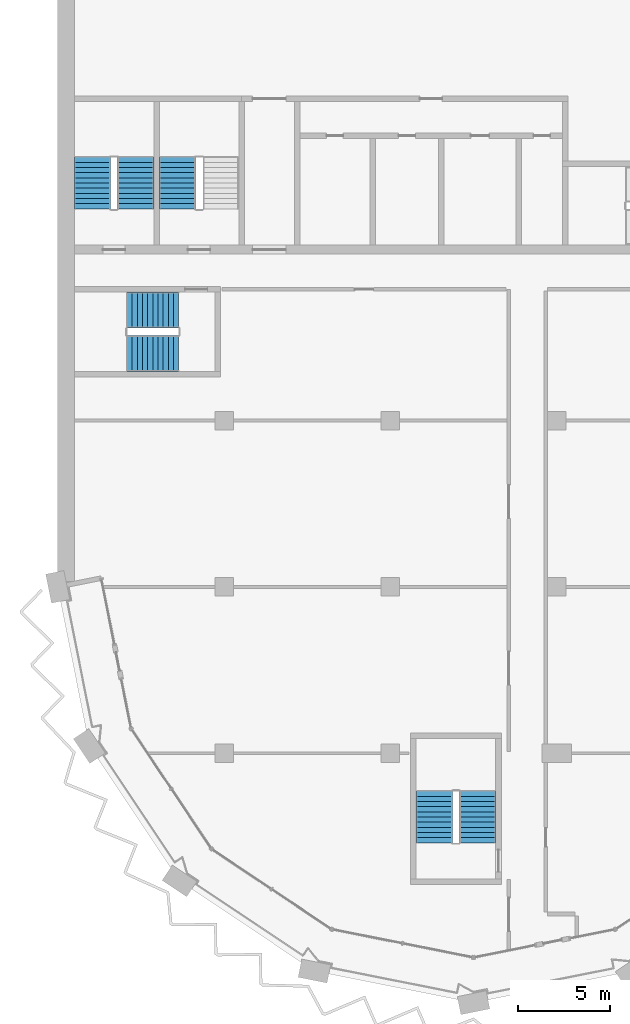
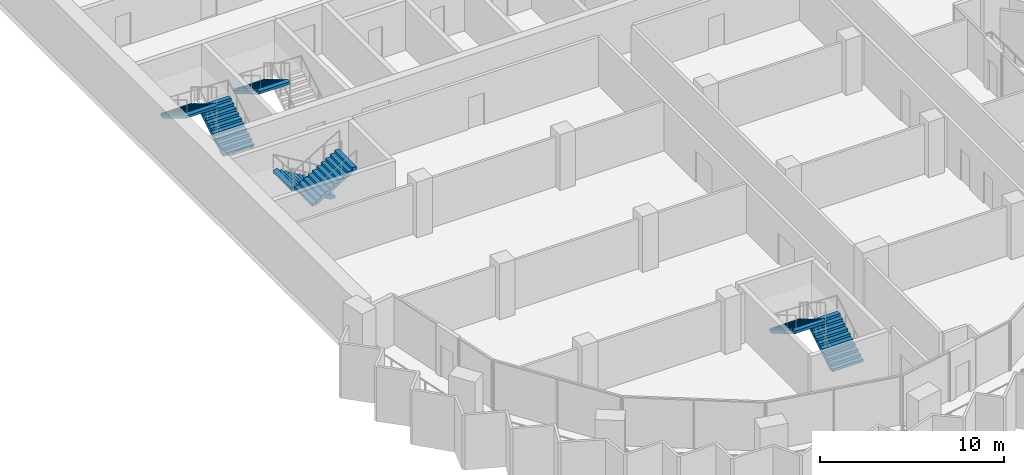
# One storey, part 10 of 15: 7 stair flights, 4 elements without a shape of their own.
"""IFC4 building model written with IfcOpenShell, lengths in metres."""

from ifc_helpers import new_model, si_unit, direction, frame, origin, place, context, subcontext, project, spatial, polyline, outline, extrude, material, type_object, element, aggregate, save


model = new_model("IFC4")

# Units and contexts
model_context = context("Model", 3, precision=1e-05, world=origin(), true_north=direction((0.0, 1.0)))
body_context = subcontext(model_context, "Body", "Model", "MODEL_VIEW")
ifc_project = project(units=[si_unit("LENGTHUNIT", "METRE"), si_unit("AREAUNIT", "SQUARE_METRE"), si_unit("VOLUMEUNIT", "CUBIC_METRE"), si_unit("PLANEANGLEUNIT", "RADIAN"), si_unit("MASSUNIT", "GRAM", prefix="KILO")], contexts=[model_context])

# Site, building, storey
site_placement = place(None, origin())
site = spatial("IfcSite", under=ifc_project, at=site_placement, CompositionType="ELEMENT")
building_placement = place(site_placement, origin())
building = spatial("IfcBuilding", under=site, at=building_placement, Name="Hunhe Ridgeline Campus", CompositionType="ELEMENT")
storey_placement = place(building_placement, frame((0.0, 0.0, 231.800048828125)))
storey = spatial("IfcBuildingStorey", under=building, at=storey_placement, Name="L59", CompositionType="ELEMENT", Elevation=231.800048828125)

# Stair, stair flights
ifc_material = material(Name="Concrete C40", Category="concrete")
stair_type = type_object("IfcStairType", Name="Reinforced concrete dog-leg stair 1950 Concrete C40", PredefinedType="HALF_TURN_STAIR", material=ifc_material)
stair_1_placement = place(storey_placement, origin())
stair_1 = element("IfcStair", 1, at=stair_1_placement, inside=storey, type_object=stair_type, Name="L59 S3", PredefinedType="HALF_TURN_STAIR")
stair_flight_type = type_object("IfcStairFlightType", Name="Reinforced concrete stair flight 1950 Concrete C40", PredefinedType="STRAIGHT", material=ifc_material)
stair_flight_1_placement = place(storey_placement, frame((4.22509765625, 65.449951171875, 0.0), z_axis=(0.0, 0.0, 1.0), x_axis=(0.0, 1.0, 0.0)))
stair_flight_1 = element("IfcStairFlight", 2, at=stair_flight_1_placement, type_object=stair_flight_type, Name="ST3 flight 1", NumberOfRisers=11, NumberOfTreads=10, PredefinedType="STRAIGHT", RiserHeight=0.168181818, TreadLength=0.28, context=body_context, shape_type="SweptSolid", body=[
    extrude(outline(polyline([(0.0, 0.0), (0.0, 0.168212890625), (0.280029296875, 0.168212890625), (0.280029296875, 0.33642578125), (0.56005859375, 0.33642578125), (0.56005859375, 0.504638671875), (0.840087890625, 0.504638671875), (0.840087890625, 0.672607421875), (1.1201171875, 0.672607421875), (1.1201171875, 0.8408203125), (1.39990234375, 0.8408203125), (1.39990234375, 1.009033203125), (1.679931640625, 1.009033203125), (1.679931640625, 1.17724609375), (1.9599609375, 1.17724609375), (1.9599609375, 1.345458984375), (2.239990234375, 1.345458984375), (2.239990234375, 1.513671875), (2.52001953125, 1.513671875), (2.52001953125, 1.681884765625), (2.800048828125, 1.681884765625), (2.800048828125, 1.85009765625), (2.800048828125, 1.5068359375), (0.291015625, 0.0), (0.0, 0.0)])), frame((0.0, 0.97509765625, 0.0), z_axis=(0.0, -1.0, 0.0), x_axis=(1.0, 0.0, 0.0)), (0.0, 0.0, 1.0), 1.949951171875),
    extrude(outline(polyline([(0.030029296875, 0.030029296875), (0.030029296875, 0.13818359375), (0.31005859375, 0.13818359375), (0.31005859375, 0.306396484375), (0.590087890625, 0.306396484375), (0.590087890625, 0.474609375), (0.8701171875, 0.474609375), (0.8701171875, 0.642578125), (1.14990234375, 0.642578125), (1.14990234375, 0.810791015625), (1.429931640625, 0.810791015625), (1.429931640625, 0.97900390625), (1.7099609375, 0.97900390625), (1.7099609375, 1.147216796875), (1.989990234375, 1.147216796875), (1.989990234375, 1.3154296875), (2.27001953125, 1.3154296875), (2.27001953125, 1.483642578125), (2.550048828125, 1.483642578125), (2.550048828125, 1.65185546875), (2.77001953125, 1.65185546875), (2.77001953125, 1.52392578125), (0.28271484375, 0.030029296875), (0.030029296875, 0.030029296875)])), frame((0.0, -0.070068359375, 0.0), z_axis=(0.0, -1.0, 0.0), x_axis=(1.0, 0.0, 0.0)), (0.0, 0.0, 1.0), 0.019775390625),
    extrude(outline(polyline([(0.030029296875, 0.030029296875), (0.030029296875, 0.13818359375), (0.31005859375, 0.13818359375), (0.31005859375, 0.306396484375), (0.590087890625, 0.306396484375), (0.590087890625, 0.474609375), (0.8701171875, 0.474609375), (0.8701171875, 0.642578125), (1.14990234375, 0.642578125), (1.14990234375, 0.810791015625), (1.429931640625, 0.810791015625), (1.429931640625, 0.97900390625), (1.7099609375, 0.97900390625), (1.7099609375, 1.147216796875), (1.989990234375, 1.147216796875), (1.989990234375, 1.3154296875), (2.27001953125, 1.3154296875), (2.27001953125, 1.483642578125), (2.550048828125, 1.483642578125), (2.550048828125, 1.65185546875), (2.77001953125, 1.65185546875), (2.77001953125, 1.52392578125), (0.28271484375, 0.030029296875), (0.030029296875, 0.030029296875)])), frame((0.0, 0.010009765625, 0.0), z_axis=(0.0, -1.0, 0.0), x_axis=(1.0, 0.0, 0.0)), (0.0, 0.0, 1.0), 0.019775390625),
    extrude(outline(polyline([(0.030029296875, 0.030029296875), (0.030029296875, 0.13818359375), (0.31005859375, 0.13818359375), (0.31005859375, 0.306396484375), (0.590087890625, 0.306396484375), (0.590087890625, 0.474609375), (0.8701171875, 0.474609375), (0.8701171875, 0.642578125), (1.14990234375, 0.642578125), (1.14990234375, 0.810791015625), (1.429931640625, 0.810791015625), (1.429931640625, 0.97900390625), (1.7099609375, 0.97900390625), (1.7099609375, 1.147216796875), (1.989990234375, 1.147216796875), (1.989990234375, 1.3154296875), (2.27001953125, 1.3154296875), (2.27001953125, 1.483642578125), (2.550048828125, 1.483642578125), (2.550048828125, 1.65185546875), (2.77001953125, 1.65185546875), (2.77001953125, 1.52392578125), (0.28271484375, 0.030029296875), (0.030029296875, 0.030029296875)])), frame((0.0, 0.090087890625, 0.0), z_axis=(0.0, -1.0, 0.0), x_axis=(1.0, 0.0, 0.0)), (0.0, 0.0, 1.0), 0.019775390625),
])
stair_flight_2_placement = place(storey_placement, frame((1.875, 68.25, 1.849853515625), z_axis=(0.0, 0.0, 1.0), x_axis=(0.0, -1.0, 0.0)))
stair_flight_2 = element("IfcStairFlight", 3, at=stair_flight_2_placement, type_object=stair_flight_type, Name="ST3 flight 2", NumberOfRisers=11, NumberOfTreads=10, PredefinedType="STRAIGHT", RiserHeight=0.168181818, TreadLength=0.28, context=body_context, shape_type="SweptSolid", body=[
    extrude(outline(polyline([(0.0, 0.0), (0.0, 0.168212890625), (0.280029296875, 0.168212890625), (0.280029296875, 0.33642578125), (0.56005859375, 0.33642578125), (0.56005859375, 0.504638671875), (0.840087890625, 0.504638671875), (0.840087890625, 0.672607421875), (1.1201171875, 0.672607421875), (1.1201171875, 0.8408203125), (1.39990234375, 0.8408203125), (1.39990234375, 1.009033203125), (1.679931640625, 1.009033203125), (1.679931640625, 1.17724609375), (1.9599609375, 1.17724609375), (1.9599609375, 1.345458984375), (2.239990234375, 1.345458984375), (2.239990234375, 1.513671875), (2.52001953125, 1.513671875), (2.52001953125, 1.681884765625), (2.800048828125, 1.681884765625), (2.800048828125, 1.85009765625), (2.800048828125, 1.5068359375), (0.291015625, 0.0), (0.0, 0.0)])), frame((0.0, 0.97509765625, 0.0), z_axis=(0.0, -1.0, 0.0), x_axis=(1.0, 0.0, 0.0)), (0.0, 0.0, 1.0), 1.949951171875),
    extrude(outline(polyline([(0.030029296875, 0.030029296875), (0.030029296875, 0.13818359375), (0.31005859375, 0.13818359375), (0.31005859375, 0.306396484375), (0.590087890625, 0.306396484375), (0.590087890625, 0.474609375), (0.8701171875, 0.474609375), (0.8701171875, 0.642578125), (1.14990234375, 0.642578125), (1.14990234375, 0.810791015625), (1.429931640625, 0.810791015625), (1.429931640625, 0.97900390625), (1.7099609375, 0.97900390625), (1.7099609375, 1.147216796875), (1.989990234375, 1.147216796875), (1.989990234375, 1.3154296875), (2.27001953125, 1.3154296875), (2.27001953125, 1.483642578125), (2.550048828125, 1.483642578125), (2.550048828125, 1.65185546875), (2.77001953125, 1.65185546875), (2.77001953125, 1.52392578125), (0.28271484375, 0.030029296875), (0.030029296875, 0.030029296875)])), frame((0.0, -0.070068359375, 0.0), z_axis=(0.0, -1.0, 0.0), x_axis=(1.0, 0.0, 0.0)), (0.0, 0.0, 1.0), 0.019775390625),
    extrude(outline(polyline([(0.030029296875, 0.030029296875), (0.030029296875, 0.13818359375), (0.31005859375, 0.13818359375), (0.31005859375, 0.306396484375), (0.590087890625, 0.306396484375), (0.590087890625, 0.474609375), (0.8701171875, 0.474609375), (0.8701171875, 0.642578125), (1.14990234375, 0.642578125), (1.14990234375, 0.810791015625), (1.429931640625, 0.810791015625), (1.429931640625, 0.97900390625), (1.7099609375, 0.97900390625), (1.7099609375, 1.147216796875), (1.989990234375, 1.147216796875), (1.989990234375, 1.3154296875), (2.27001953125, 1.3154296875), (2.27001953125, 1.483642578125), (2.550048828125, 1.483642578125), (2.550048828125, 1.65185546875), (2.77001953125, 1.65185546875), (2.77001953125, 1.52392578125), (0.28271484375, 0.030029296875), (0.030029296875, 0.030029296875)])), frame((0.0, 0.010009765625, 0.0), z_axis=(0.0, -1.0, 0.0), x_axis=(1.0, 0.0, 0.0)), (0.0, 0.0, 1.0), 0.019775390625),
    extrude(outline(polyline([(0.030029296875, 0.030029296875), (0.030029296875, 0.13818359375), (0.31005859375, 0.13818359375), (0.31005859375, 0.306396484375), (0.590087890625, 0.306396484375), (0.590087890625, 0.474609375), (0.8701171875, 0.474609375), (0.8701171875, 0.642578125), (1.14990234375, 0.642578125), (1.14990234375, 0.810791015625), (1.429931640625, 0.810791015625), (1.429931640625, 0.97900390625), (1.7099609375, 0.97900390625), (1.7099609375, 1.147216796875), (1.989990234375, 1.147216796875), (1.989990234375, 1.3154296875), (2.27001953125, 1.3154296875), (2.27001953125, 1.483642578125), (2.550048828125, 1.483642578125), (2.550048828125, 1.65185546875), (2.77001953125, 1.65185546875), (2.77001953125, 1.52392578125), (0.28271484375, 0.030029296875), (0.030029296875, 0.030029296875)])), frame((0.0, 0.090087890625, 0.0), z_axis=(0.0, -1.0, 0.0), x_axis=(1.0, 0.0, 0.0)), (0.0, 0.0, 1.0), 0.019775390625),
])
aggregate(stair_1, [stair_flight_1, stair_flight_2])

# Stair, stair flight
stair_2_placement = place(storey_placement, origin())
stair_2 = element("IfcStair", 4, at=stair_2_placement, inside=storey, type_object=stair_type, Name="L59 S4", PredefinedType="HALF_TURN_STAIR")
stair_flight_3_placement = place(storey_placement, frame((6.47509765625, 68.25, 1.849853515625), z_axis=(0.0, 0.0, 1.0), x_axis=(0.0, -1.0, 0.0)))
stair_flight_3 = element("IfcStairFlight", 5, at=stair_flight_3_placement, type_object=stair_flight_type, Name="ST4 flight 2", NumberOfRisers=11, NumberOfTreads=10, PredefinedType="STRAIGHT", RiserHeight=0.168181818, TreadLength=0.28, context=body_context, shape_type="SweptSolid", body=[
    extrude(outline(polyline([(0.0, 0.0), (0.0, 0.168212890625), (0.280029296875, 0.168212890625), (0.280029296875, 0.33642578125), (0.56005859375, 0.33642578125), (0.56005859375, 0.504638671875), (0.840087890625, 0.504638671875), (0.840087890625, 0.672607421875), (1.1201171875, 0.672607421875), (1.1201171875, 0.8408203125), (1.39990234375, 0.8408203125), (1.39990234375, 1.009033203125), (1.679931640625, 1.009033203125), (1.679931640625, 1.17724609375), (1.9599609375, 1.17724609375), (1.9599609375, 1.345458984375), (2.239990234375, 1.345458984375), (2.239990234375, 1.513671875), (2.52001953125, 1.513671875), (2.52001953125, 1.681884765625), (2.800048828125, 1.681884765625), (2.800048828125, 1.85009765625), (2.800048828125, 1.5068359375), (0.291015625, 0.0), (0.0, 0.0)])), frame((0.0, 0.97509765625, 0.0), z_axis=(0.0, -1.0, 0.0), x_axis=(1.0, 0.0, 0.0)), (0.0, 0.0, 1.0), 1.949951171875),
    extrude(outline(polyline([(0.030029296875, 0.030029296875), (0.030029296875, 0.13818359375), (0.31005859375, 0.13818359375), (0.31005859375, 0.306396484375), (0.590087890625, 0.306396484375), (0.590087890625, 0.474609375), (0.8701171875, 0.474609375), (0.8701171875, 0.642578125), (1.14990234375, 0.642578125), (1.14990234375, 0.810791015625), (1.429931640625, 0.810791015625), (1.429931640625, 0.97900390625), (1.7099609375, 0.97900390625), (1.7099609375, 1.147216796875), (1.989990234375, 1.147216796875), (1.989990234375, 1.3154296875), (2.27001953125, 1.3154296875), (2.27001953125, 1.483642578125), (2.550048828125, 1.483642578125), (2.550048828125, 1.65185546875), (2.77001953125, 1.65185546875), (2.77001953125, 1.52392578125), (0.28271484375, 0.030029296875), (0.030029296875, 0.030029296875)])), frame((0.0, -0.070068359375, 0.0), z_axis=(0.0, -1.0, 0.0), x_axis=(1.0, 0.0, 0.0)), (0.0, 0.0, 1.0), 0.019775390625),
    extrude(outline(polyline([(0.030029296875, 0.030029296875), (0.030029296875, 0.13818359375), (0.31005859375, 0.13818359375), (0.31005859375, 0.306396484375), (0.590087890625, 0.306396484375), (0.590087890625, 0.474609375), (0.8701171875, 0.474609375), (0.8701171875, 0.642578125), (1.14990234375, 0.642578125), (1.14990234375, 0.810791015625), (1.429931640625, 0.810791015625), (1.429931640625, 0.97900390625), (1.7099609375, 0.97900390625), (1.7099609375, 1.147216796875), (1.989990234375, 1.147216796875), (1.989990234375, 1.3154296875), (2.27001953125, 1.3154296875), (2.27001953125, 1.483642578125), (2.550048828125, 1.483642578125), (2.550048828125, 1.65185546875), (2.77001953125, 1.65185546875), (2.77001953125, 1.52392578125), (0.28271484375, 0.030029296875), (0.030029296875, 0.030029296875)])), frame((0.0, 0.010009765625, 0.0), z_axis=(0.0, -1.0, 0.0), x_axis=(1.0, 0.0, 0.0)), (0.0, 0.0, 1.0), 0.019775390625),
    extrude(outline(polyline([(0.030029296875, 0.030029296875), (0.030029296875, 0.13818359375), (0.31005859375, 0.13818359375), (0.31005859375, 0.306396484375), (0.590087890625, 0.306396484375), (0.590087890625, 0.474609375), (0.8701171875, 0.474609375), (0.8701171875, 0.642578125), (1.14990234375, 0.642578125), (1.14990234375, 0.810791015625), (1.429931640625, 0.810791015625), (1.429931640625, 0.97900390625), (1.7099609375, 0.97900390625), (1.7099609375, 1.147216796875), (1.989990234375, 1.147216796875), (1.989990234375, 1.3154296875), (2.27001953125, 1.3154296875), (2.27001953125, 1.483642578125), (2.550048828125, 1.483642578125), (2.550048828125, 1.65185546875), (2.77001953125, 1.65185546875), (2.77001953125, 1.52392578125), (0.28271484375, 0.030029296875), (0.030029296875, 0.030029296875)])), frame((0.0, 0.090087890625, 0.0), z_axis=(0.0, -1.0, 0.0), x_axis=(1.0, 0.0, 0.0)), (0.0, 0.0, 1.0), 0.019775390625),
])
aggregate(stair_2, [stair_flight_3])

# Stair, stair flights
stair_3_placement = place(storey_placement, origin())
stair_3 = element("IfcStair", 6, at=stair_3_placement, inside=storey, type_object=stair_type, Name="L59 W3", PredefinedType="HALF_TURN_STAIR")
stair_flight_4_placement = place(storey_placement, frame((22.72509765625, 31.14990234375, 0.0), z_axis=(0.0, 0.0, 1.0), x_axis=(0.0, 1.0, 0.0)))
stair_flight_4 = element("IfcStairFlight", 7, at=stair_flight_4_placement, type_object=stair_flight_type, Name="ST9 flight 1", NumberOfRisers=11, NumberOfTreads=10, PredefinedType="STRAIGHT", RiserHeight=0.168181818, TreadLength=0.28, context=body_context, shape_type="SweptSolid", body=[
    extrude(outline(polyline([(0.0, 0.0), (0.0, 0.168212890625), (0.280029296875, 0.168212890625), (0.280029296875, 0.33642578125), (0.56005859375, 0.33642578125), (0.56005859375, 0.504638671875), (0.840087890625, 0.504638671875), (0.840087890625, 0.672607421875), (1.1201171875, 0.672607421875), (1.1201171875, 0.8408203125), (1.39990234375, 0.8408203125), (1.39990234375, 1.009033203125), (1.679931640625, 1.009033203125), (1.679931640625, 1.17724609375), (1.9599609375, 1.17724609375), (1.9599609375, 1.345458984375), (2.239990234375, 1.345458984375), (2.239990234375, 1.513671875), (2.52001953125, 1.513671875), (2.52001953125, 1.681884765625), (2.800048828125, 1.681884765625), (2.800048828125, 1.85009765625), (2.800048828125, 1.5068359375), (0.291015625, 0.0), (0.0, 0.0)])), frame((0.0, 0.97509765625, 0.0), z_axis=(0.0, -1.0, 0.0), x_axis=(1.0, 0.0, 0.0)), (0.0, 0.0, 1.0), 1.949951171875),
    extrude(outline(polyline([(0.030029296875, 0.030029296875), (0.030029296875, 0.13818359375), (0.31005859375, 0.13818359375), (0.31005859375, 0.306396484375), (0.590087890625, 0.306396484375), (0.590087890625, 0.474609375), (0.8701171875, 0.474609375), (0.8701171875, 0.642578125), (1.14990234375, 0.642578125), (1.14990234375, 0.810791015625), (1.429931640625, 0.810791015625), (1.429931640625, 0.97900390625), (1.7099609375, 0.97900390625), (1.7099609375, 1.147216796875), (1.989990234375, 1.147216796875), (1.989990234375, 1.3154296875), (2.27001953125, 1.3154296875), (2.27001953125, 1.483642578125), (2.550048828125, 1.483642578125), (2.550048828125, 1.65185546875), (2.77001953125, 1.65185546875), (2.77001953125, 1.52392578125), (0.28271484375, 0.030029296875), (0.030029296875, 0.030029296875)])), frame((0.0, -0.070068359375, 0.0), z_axis=(0.0, -1.0, 0.0), x_axis=(1.0, 0.0, 0.0)), (0.0, 0.0, 1.0), 0.019775390625),
    extrude(outline(polyline([(0.030029296875, 0.030029296875), (0.030029296875, 0.13818359375), (0.31005859375, 0.13818359375), (0.31005859375, 0.306396484375), (0.590087890625, 0.306396484375), (0.590087890625, 0.474609375), (0.8701171875, 0.474609375), (0.8701171875, 0.642578125), (1.14990234375, 0.642578125), (1.14990234375, 0.810791015625), (1.429931640625, 0.810791015625), (1.429931640625, 0.97900390625), (1.7099609375, 0.97900390625), (1.7099609375, 1.147216796875), (1.989990234375, 1.147216796875), (1.989990234375, 1.3154296875), (2.27001953125, 1.3154296875), (2.27001953125, 1.483642578125), (2.550048828125, 1.483642578125), (2.550048828125, 1.65185546875), (2.77001953125, 1.65185546875), (2.77001953125, 1.52392578125), (0.28271484375, 0.030029296875), (0.030029296875, 0.030029296875)])), frame((0.0, 0.010009765625, 0.0), z_axis=(0.0, -1.0, 0.0), x_axis=(1.0, 0.0, 0.0)), (0.0, 0.0, 1.0), 0.019775390625),
    extrude(outline(polyline([(0.030029296875, 0.030029296875), (0.030029296875, 0.13818359375), (0.31005859375, 0.13818359375), (0.31005859375, 0.306396484375), (0.590087890625, 0.306396484375), (0.590087890625, 0.474609375), (0.8701171875, 0.474609375), (0.8701171875, 0.642578125), (1.14990234375, 0.642578125), (1.14990234375, 0.810791015625), (1.429931640625, 0.810791015625), (1.429931640625, 0.97900390625), (1.7099609375, 0.97900390625), (1.7099609375, 1.147216796875), (1.989990234375, 1.147216796875), (1.989990234375, 1.3154296875), (2.27001953125, 1.3154296875), (2.27001953125, 1.483642578125), (2.550048828125, 1.483642578125), (2.550048828125, 1.65185546875), (2.77001953125, 1.65185546875), (2.77001953125, 1.52392578125), (0.28271484375, 0.030029296875), (0.030029296875, 0.030029296875)])), frame((0.0, 0.090087890625, 0.0), z_axis=(0.0, -1.0, 0.0), x_axis=(1.0, 0.0, 0.0)), (0.0, 0.0, 1.0), 0.019775390625),
])
stair_flight_5_placement = place(storey_placement, frame((20.375, 33.949951171875, 1.849853515625), z_axis=(0.0, 0.0, 1.0), x_axis=(0.0, -1.0, 0.0)))
stair_flight_5 = element("IfcStairFlight", 8, at=stair_flight_5_placement, type_object=stair_flight_type, Name="ST9 flight 2", NumberOfRisers=11, NumberOfTreads=10, PredefinedType="STRAIGHT", RiserHeight=0.168181818, TreadLength=0.28, context=body_context, shape_type="SweptSolid", body=[
    extrude(outline(polyline([(0.0, 0.0), (0.0, 0.168212890625), (0.280029296875, 0.168212890625), (0.280029296875, 0.33642578125), (0.56005859375, 0.33642578125), (0.56005859375, 0.504638671875), (0.840087890625, 0.504638671875), (0.840087890625, 0.672607421875), (1.1201171875, 0.672607421875), (1.1201171875, 0.8408203125), (1.39990234375, 0.8408203125), (1.39990234375, 1.009033203125), (1.679931640625, 1.009033203125), (1.679931640625, 1.17724609375), (1.9599609375, 1.17724609375), (1.9599609375, 1.345458984375), (2.239990234375, 1.345458984375), (2.239990234375, 1.513671875), (2.52001953125, 1.513671875), (2.52001953125, 1.681884765625), (2.800048828125, 1.681884765625), (2.800048828125, 1.85009765625), (2.800048828125, 1.5068359375), (0.291015625, 0.0), (0.0, 0.0)])), frame((0.0, 0.97509765625, 0.0), z_axis=(0.0, -1.0, 0.0), x_axis=(1.0, 0.0, 0.0)), (0.0, 0.0, 1.0), 1.949951171875),
    extrude(outline(polyline([(0.030029296875, 0.030029296875), (0.030029296875, 0.13818359375), (0.31005859375, 0.13818359375), (0.31005859375, 0.306396484375), (0.590087890625, 0.306396484375), (0.590087890625, 0.474609375), (0.8701171875, 0.474609375), (0.8701171875, 0.642578125), (1.14990234375, 0.642578125), (1.14990234375, 0.810791015625), (1.429931640625, 0.810791015625), (1.429931640625, 0.97900390625), (1.7099609375, 0.97900390625), (1.7099609375, 1.147216796875), (1.989990234375, 1.147216796875), (1.989990234375, 1.3154296875), (2.27001953125, 1.3154296875), (2.27001953125, 1.483642578125), (2.550048828125, 1.483642578125), (2.550048828125, 1.65185546875), (2.77001953125, 1.65185546875), (2.77001953125, 1.52392578125), (0.28271484375, 0.030029296875), (0.030029296875, 0.030029296875)])), frame((0.0, -0.070068359375, 0.0), z_axis=(0.0, -1.0, 0.0), x_axis=(1.0, 0.0, 0.0)), (0.0, 0.0, 1.0), 0.019775390625),
    extrude(outline(polyline([(0.030029296875, 0.030029296875), (0.030029296875, 0.13818359375), (0.31005859375, 0.13818359375), (0.31005859375, 0.306396484375), (0.590087890625, 0.306396484375), (0.590087890625, 0.474609375), (0.8701171875, 0.474609375), (0.8701171875, 0.642578125), (1.14990234375, 0.642578125), (1.14990234375, 0.810791015625), (1.429931640625, 0.810791015625), (1.429931640625, 0.97900390625), (1.7099609375, 0.97900390625), (1.7099609375, 1.147216796875), (1.989990234375, 1.147216796875), (1.989990234375, 1.3154296875), (2.27001953125, 1.3154296875), (2.27001953125, 1.483642578125), (2.550048828125, 1.483642578125), (2.550048828125, 1.65185546875), (2.77001953125, 1.65185546875), (2.77001953125, 1.52392578125), (0.28271484375, 0.030029296875), (0.030029296875, 0.030029296875)])), frame((0.0, 0.010009765625, 0.0), z_axis=(0.0, -1.0, 0.0), x_axis=(1.0, 0.0, 0.0)), (0.0, 0.0, 1.0), 0.019775390625),
    extrude(outline(polyline([(0.030029296875, 0.030029296875), (0.030029296875, 0.13818359375), (0.31005859375, 0.13818359375), (0.31005859375, 0.306396484375), (0.590087890625, 0.306396484375), (0.590087890625, 0.474609375), (0.8701171875, 0.474609375), (0.8701171875, 0.642578125), (1.14990234375, 0.642578125), (1.14990234375, 0.810791015625), (1.429931640625, 0.810791015625), (1.429931640625, 0.97900390625), (1.7099609375, 0.97900390625), (1.7099609375, 1.147216796875), (1.989990234375, 1.147216796875), (1.989990234375, 1.3154296875), (2.27001953125, 1.3154296875), (2.27001953125, 1.483642578125), (2.550048828125, 1.483642578125), (2.550048828125, 1.65185546875), (2.77001953125, 1.65185546875), (2.77001953125, 1.52392578125), (0.28271484375, 0.030029296875), (0.030029296875, 0.030029296875)])), frame((0.0, 0.090087890625, 0.0), z_axis=(0.0, -1.0, 0.0), x_axis=(1.0, 0.0, 0.0)), (0.0, 0.0, 1.0), 0.019775390625),
])
aggregate(stair_3, [stair_flight_4, stair_flight_5])

stair_4_placement = place(storey_placement, origin())
stair_4 = element("IfcStair", 9, at=stair_4_placement, inside=storey, type_object=stair_type, Name="L59 W2", PredefinedType="HALF_TURN_STAIR")
stair_flight_6_placement = place(storey_placement, frame((6.550048828125, 59.97509765625, 0.0), z_axis=(0.0, 0.0, 1.0), x_axis=(-1.0, 0.0, 0.0)))
stair_flight_6 = element("IfcStairFlight", 10, at=stair_flight_6_placement, type_object=stair_flight_type, Name="ST12 flight 1", NumberOfRisers=11, NumberOfTreads=10, PredefinedType="STRAIGHT", RiserHeight=0.168181818, TreadLength=0.28, context=body_context, shape_type="SweptSolid", body=[
    extrude(outline(polyline([(0.0, 0.0), (0.0, 0.168212890625), (0.280029296875, 0.168212890625), (0.280029296875, 0.33642578125), (0.56005859375, 0.33642578125), (0.56005859375, 0.504638671875), (0.840087890625, 0.504638671875), (0.840087890625, 0.672607421875), (1.1201171875, 0.672607421875), (1.1201171875, 0.8408203125), (1.39990234375, 0.8408203125), (1.39990234375, 1.009033203125), (1.679931640625, 1.009033203125), (1.679931640625, 1.17724609375), (1.9599609375, 1.17724609375), (1.9599609375, 1.345458984375), (2.239990234375, 1.345458984375), (2.239990234375, 1.513671875), (2.52001953125, 1.513671875), (2.52001953125, 1.681884765625), (2.800048828125, 1.681884765625), (2.800048828125, 1.85009765625), (2.800048828125, 1.5068359375), (0.291015625, 0.0), (0.0, 0.0)])), frame((0.0, 0.97509765625, 0.0), z_axis=(0.0, -1.0, 0.0), x_axis=(1.0, 0.0, 0.0)), (0.0, 0.0, 1.0), 1.949951171875),
    extrude(outline(polyline([(0.030029296875, 0.030029296875), (0.030029296875, 0.13818359375), (0.31005859375, 0.13818359375), (0.31005859375, 0.306396484375), (0.590087890625, 0.306396484375), (0.590087890625, 0.474609375), (0.8701171875, 0.474609375), (0.8701171875, 0.642578125), (1.14990234375, 0.642578125), (1.14990234375, 0.810791015625), (1.429931640625, 0.810791015625), (1.429931640625, 0.97900390625), (1.7099609375, 0.97900390625), (1.7099609375, 1.147216796875), (1.989990234375, 1.147216796875), (1.989990234375, 1.3154296875), (2.27001953125, 1.3154296875), (2.27001953125, 1.483642578125), (2.550048828125, 1.483642578125), (2.550048828125, 1.65185546875), (2.77001953125, 1.65185546875), (2.77001953125, 1.52392578125), (0.28271484375, 0.030029296875), (0.030029296875, 0.030029296875)])), frame((0.0, -0.070068359375, 0.0), z_axis=(0.0, -1.0, 0.0), x_axis=(1.0, 0.0, 0.0)), (0.0, 0.0, 1.0), 0.019775390625),
    extrude(outline(polyline([(0.030029296875, 0.030029296875), (0.030029296875, 0.13818359375), (0.31005859375, 0.13818359375), (0.31005859375, 0.306396484375), (0.590087890625, 0.306396484375), (0.590087890625, 0.474609375), (0.8701171875, 0.474609375), (0.8701171875, 0.642578125), (1.14990234375, 0.642578125), (1.14990234375, 0.810791015625), (1.429931640625, 0.810791015625), (1.429931640625, 0.97900390625), (1.7099609375, 0.97900390625), (1.7099609375, 1.147216796875), (1.989990234375, 1.147216796875), (1.989990234375, 1.3154296875), (2.27001953125, 1.3154296875), (2.27001953125, 1.483642578125), (2.550048828125, 1.483642578125), (2.550048828125, 1.65185546875), (2.77001953125, 1.65185546875), (2.77001953125, 1.52392578125), (0.28271484375, 0.030029296875), (0.030029296875, 0.030029296875)])), frame((0.0, 0.010009765625, 0.0), z_axis=(0.0, -1.0, 0.0), x_axis=(1.0, 0.0, 0.0)), (0.0, 0.0, 1.0), 0.019775390625),
    extrude(outline(polyline([(0.030029296875, 0.030029296875), (0.030029296875, 0.13818359375), (0.31005859375, 0.13818359375), (0.31005859375, 0.306396484375), (0.590087890625, 0.306396484375), (0.590087890625, 0.474609375), (0.8701171875, 0.474609375), (0.8701171875, 0.642578125), (1.14990234375, 0.642578125), (1.14990234375, 0.810791015625), (1.429931640625, 0.810791015625), (1.429931640625, 0.97900390625), (1.7099609375, 0.97900390625), (1.7099609375, 1.147216796875), (1.989990234375, 1.147216796875), (1.989990234375, 1.3154296875), (2.27001953125, 1.3154296875), (2.27001953125, 1.483642578125), (2.550048828125, 1.483642578125), (2.550048828125, 1.65185546875), (2.77001953125, 1.65185546875), (2.77001953125, 1.52392578125), (0.28271484375, 0.030029296875), (0.030029296875, 0.030029296875)])), frame((0.0, 0.090087890625, 0.0), z_axis=(0.0, -1.0, 0.0), x_axis=(1.0, 0.0, 0.0)), (0.0, 0.0, 1.0), 0.019775390625),
])
stair_flight_7_placement = place(storey_placement, frame((3.75, 57.625, 1.849853515625), z_axis=(0.0, 0.0, 1.0), x_axis=(1.0, 0.0, 0.0)))
stair_flight_7 = element("IfcStairFlight", 11, at=stair_flight_7_placement, type_object=stair_flight_type, Name="ST12 flight 2", NumberOfRisers=11, NumberOfTreads=10, PredefinedType="STRAIGHT", RiserHeight=0.168181818, TreadLength=0.28, context=body_context, shape_type="SweptSolid", body=[
    extrude(outline(polyline([(0.0, 0.0), (0.0, 0.168212890625), (0.280029296875, 0.168212890625), (0.280029296875, 0.33642578125), (0.56005859375, 0.33642578125), (0.56005859375, 0.504638671875), (0.840087890625, 0.504638671875), (0.840087890625, 0.672607421875), (1.1201171875, 0.672607421875), (1.1201171875, 0.8408203125), (1.39990234375, 0.8408203125), (1.39990234375, 1.009033203125), (1.679931640625, 1.009033203125), (1.679931640625, 1.17724609375), (1.9599609375, 1.17724609375), (1.9599609375, 1.345458984375), (2.239990234375, 1.345458984375), (2.239990234375, 1.513671875), (2.52001953125, 1.513671875), (2.52001953125, 1.681884765625), (2.800048828125, 1.681884765625), (2.800048828125, 1.85009765625), (2.800048828125, 1.5068359375), (0.291015625, 0.0), (0.0, 0.0)])), frame((0.0, 0.97509765625, 0.0), z_axis=(0.0, -1.0, 0.0), x_axis=(1.0, 0.0, 0.0)), (0.0, 0.0, 1.0), 1.949951171875),
    extrude(outline(polyline([(0.030029296875, 0.030029296875), (0.030029296875, 0.13818359375), (0.31005859375, 0.13818359375), (0.31005859375, 0.306396484375), (0.590087890625, 0.306396484375), (0.590087890625, 0.474609375), (0.8701171875, 0.474609375), (0.8701171875, 0.642578125), (1.14990234375, 0.642578125), (1.14990234375, 0.810791015625), (1.429931640625, 0.810791015625), (1.429931640625, 0.97900390625), (1.7099609375, 0.97900390625), (1.7099609375, 1.147216796875), (1.989990234375, 1.147216796875), (1.989990234375, 1.3154296875), (2.27001953125, 1.3154296875), (2.27001953125, 1.483642578125), (2.550048828125, 1.483642578125), (2.550048828125, 1.65185546875), (2.77001953125, 1.65185546875), (2.77001953125, 1.52392578125), (0.28271484375, 0.030029296875), (0.030029296875, 0.030029296875)])), frame((0.0, -0.070068359375, 0.0), z_axis=(0.0, -1.0, 0.0), x_axis=(1.0, 0.0, 0.0)), (0.0, 0.0, 1.0), 0.019775390625),
    extrude(outline(polyline([(0.030029296875, 0.030029296875), (0.030029296875, 0.13818359375), (0.31005859375, 0.13818359375), (0.31005859375, 0.306396484375), (0.590087890625, 0.306396484375), (0.590087890625, 0.474609375), (0.8701171875, 0.474609375), (0.8701171875, 0.642578125), (1.14990234375, 0.642578125), (1.14990234375, 0.810791015625), (1.429931640625, 0.810791015625), (1.429931640625, 0.97900390625), (1.7099609375, 0.97900390625), (1.7099609375, 1.147216796875), (1.989990234375, 1.147216796875), (1.989990234375, 1.3154296875), (2.27001953125, 1.3154296875), (2.27001953125, 1.483642578125), (2.550048828125, 1.483642578125), (2.550048828125, 1.65185546875), (2.77001953125, 1.65185546875), (2.77001953125, 1.52392578125), (0.28271484375, 0.030029296875), (0.030029296875, 0.030029296875)])), frame((0.0, 0.010009765625, 0.0), z_axis=(0.0, -1.0, 0.0), x_axis=(1.0, 0.0, 0.0)), (0.0, 0.0, 1.0), 0.019775390625),
    extrude(outline(polyline([(0.030029296875, 0.030029296875), (0.030029296875, 0.13818359375), (0.31005859375, 0.13818359375), (0.31005859375, 0.306396484375), (0.590087890625, 0.306396484375), (0.590087890625, 0.474609375), (0.8701171875, 0.474609375), (0.8701171875, 0.642578125), (1.14990234375, 0.642578125), (1.14990234375, 0.810791015625), (1.429931640625, 0.810791015625), (1.429931640625, 0.97900390625), (1.7099609375, 0.97900390625), (1.7099609375, 1.147216796875), (1.989990234375, 1.147216796875), (1.989990234375, 1.3154296875), (2.27001953125, 1.3154296875), (2.27001953125, 1.483642578125), (2.550048828125, 1.483642578125), (2.550048828125, 1.65185546875), (2.77001953125, 1.65185546875), (2.77001953125, 1.52392578125), (0.28271484375, 0.030029296875), (0.030029296875, 0.030029296875)])), frame((0.0, 0.090087890625, 0.0), z_axis=(0.0, -1.0, 0.0), x_axis=(1.0, 0.0, 0.0)), (0.0, 0.0, 1.0), 0.019775390625),
])
aggregate(stair_4, [stair_flight_6, stair_flight_7])

save(model, "model.ifc")
